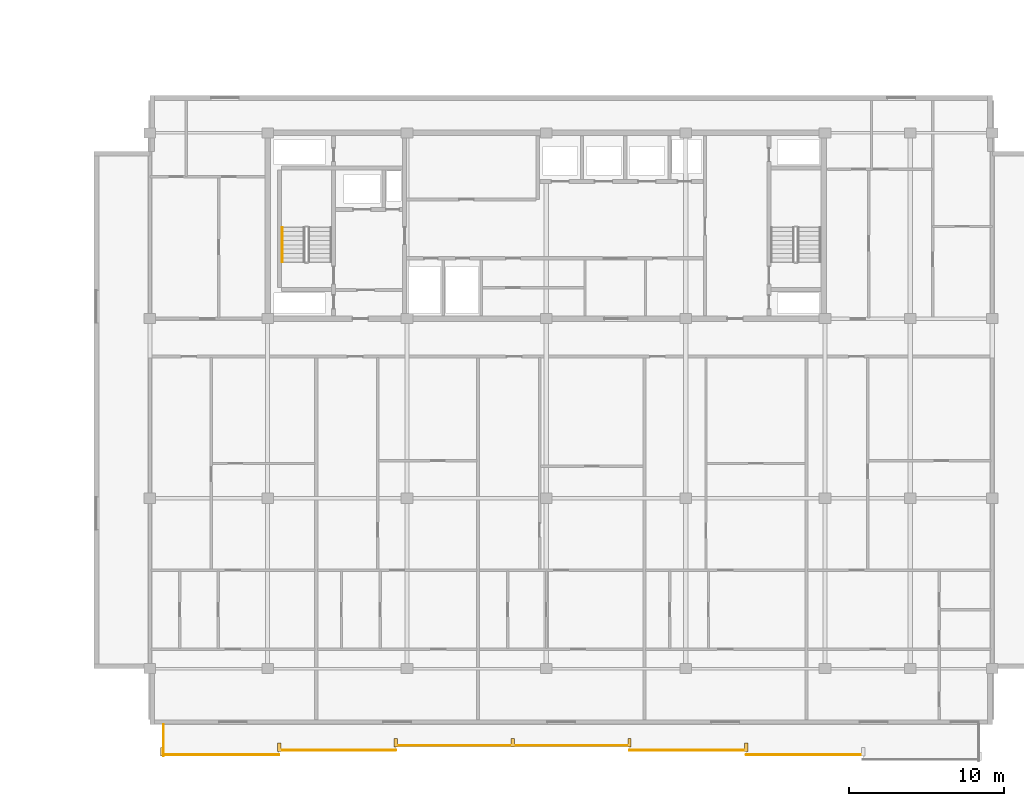
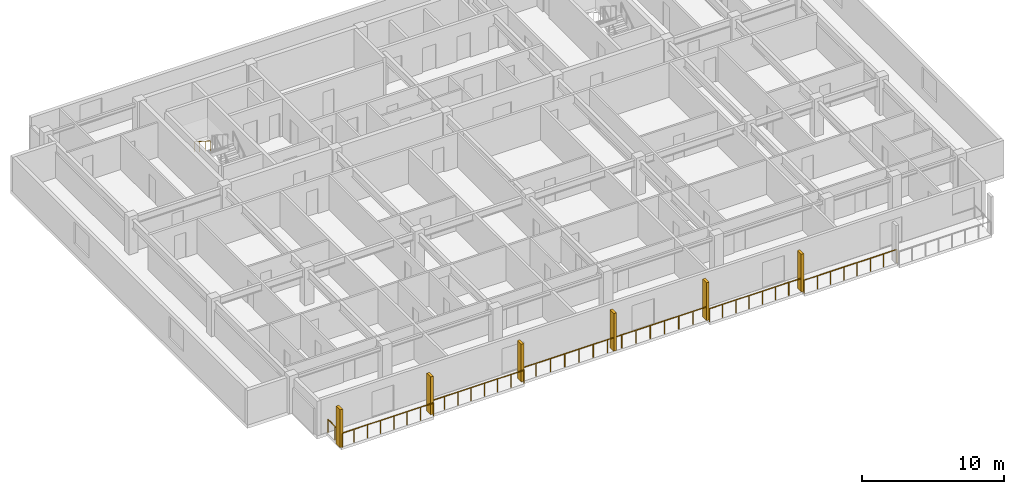
# One storey, part 17 of 21: 7 railings, 6 shading devices.
"""IFC4 building model written with IfcOpenShell, lengths in metres."""

from ifc_helpers import new_model, si_unit, direction, frame, origin, origin_2d, place, context, subcontext, project, spatial, rectangle, circle, extrude, material, type_object, element, save


model = new_model("IFC4")

# Units and contexts
model_context = context("Model", 3, precision=1e-05, world=origin(), true_north=direction((0.0, 1.0)))
body_context = subcontext(model_context, "Body", "Model", "MODEL_VIEW")
ifc_project = project(units=[si_unit("LENGTHUNIT", "METRE"), si_unit("AREAUNIT", "SQUARE_METRE"), si_unit("VOLUMEUNIT", "CUBIC_METRE"), si_unit("PLANEANGLEUNIT", "RADIAN"), si_unit("MASSUNIT", "GRAM", prefix="KILO")], contexts=[model_context])

# Site, building, storey
site_placement = place(None, origin())
site = spatial("IfcSite", under=ifc_project, at=site_placement, CompositionType="ELEMENT")
building_placement = place(site_placement, origin())
building = spatial("IfcBuilding", under=site, at=building_placement, Name="Korimba Cascade Residences", CompositionType="ELEMENT")
storey_placement = place(building_placement, frame((0.0, 0.0, 171.85009765625)))
storey = spatial("IfcBuildingStorey", under=building, at=storey_placement, Name="L49", CompositionType="ELEMENT", Elevation=171.85009765625)

# Railings
ifc_material_1 = material(Name="Laminated Glass and Bronze Balustrade", Category="glass")
railing_type_1 = type_object("IfcRailingType", Name="RLG-LOG-1150", PredefinedType="BALUSTRADE", material=ifc_material_1)
railing_1_placement = place(storey_placement, frame((75.300048828125, -9.77001953125, 0.0)))
element("IfcRailing", 1, at=railing_1_placement, inside=storey, type_object=railing_type_1, Name="L49 Perimeter Guardrail RLG-L49-T2-LOG-01", PredefinedType="BALUSTRADE", context=body_context, shape_type="SweptSolid", body=[
    extrude(circle(Radius=0.02392578125, at=origin_2d()), frame((0.0, 0.0, 1.1259765625), z_axis=(1.0, 0.0, 0.0), x_axis=(0.0, 1.0, 0.0)), (0.0, 0.0, 1.0), 7.54296875),
    extrude(circle(Radius=0.02099609375, at=origin_2d()), origin(), (0.0, 0.0, 1.0), 1.101806640625),
    extrude(circle(Radius=0.02099609375, at=origin_2d()), frame((1.07763671875, 0.0, 0.0)), (0.0, 0.0, 1.0), 1.101806640625),
    extrude(circle(Radius=0.02099609375, at=origin_2d()), frame((2.155029296875, 0.0, 0.0)), (0.0, 0.0, 1.0), 1.101806640625),
    extrude(circle(Radius=0.02099609375, at=origin_2d()), frame((3.232666015625, 0.0, 0.0)), (0.0, 0.0, 1.0), 1.101806640625),
    extrude(circle(Radius=0.02099609375, at=origin_2d()), frame((4.310302734375, 0.0, 0.0)), (0.0, 0.0, 1.0), 1.101806640625),
    extrude(circle(Radius=0.02099609375, at=origin_2d()), frame((5.387939453125, 0.0, 0.0)), (0.0, 0.0, 1.0), 1.101806640625),
    extrude(circle(Radius=0.02099609375, at=origin_2d()), frame((6.46533203125, 0.0, 0.0)), (0.0, 0.0, 1.0), 1.101806640625),
    extrude(circle(Radius=0.02099609375, at=origin_2d()), frame((7.54296875, 0.0, 0.0)), (0.0, 0.0, 1.0), 1.101806640625),
])
railing_2_placement = place(storey_placement, frame((82.843017578125, -9.469970703125, 0.0)))
element("IfcRailing", 2, at=railing_2_placement, inside=storey, type_object=railing_type_1, Name="L49 Perimeter Guardrail RLG-L49-T2-LOG-02", PredefinedType="BALUSTRADE", context=body_context, shape_type="SweptSolid", body=[
    extrude(circle(Radius=0.02392578125, at=origin_2d()), frame((0.0, 0.0, 1.1259765625), z_axis=(1.0, 0.0, 0.0), x_axis=(0.0, 1.0, 0.0)), (0.0, 0.0, 1.0), 7.542724609375),
    extrude(circle(Radius=0.02099609375, at=origin_2d()), origin(), (0.0, 0.0, 1.0), 1.101806640625),
    extrude(circle(Radius=0.02099609375, at=origin_2d()), frame((1.07763671875, 0.0, 0.0)), (0.0, 0.0, 1.0), 1.101806640625),
    extrude(circle(Radius=0.02099609375, at=origin_2d()), frame((2.155029296875, 0.0, 0.0)), (0.0, 0.0, 1.0), 1.101806640625),
    extrude(circle(Radius=0.02099609375, at=origin_2d()), frame((3.232666015625, 0.0, 0.0)), (0.0, 0.0, 1.0), 1.101806640625),
    extrude(circle(Radius=0.02099609375, at=origin_2d()), frame((4.31005859375, 0.0, 0.0)), (0.0, 0.0, 1.0), 1.101806640625),
    extrude(circle(Radius=0.02099609375, at=origin_2d()), frame((5.3876953125, 0.0, 0.0)), (0.0, 0.0, 1.0), 1.101806640625),
    extrude(circle(Radius=0.02099609375, at=origin_2d()), frame((6.465087890625, 0.0, 0.0)), (0.0, 0.0, 1.0), 1.101806640625),
    extrude(circle(Radius=0.02099609375, at=origin_2d()), frame((7.542724609375, 0.0, 0.0)), (0.0, 0.0, 1.0), 1.101806640625),
])
railing_3_placement = place(storey_placement, frame((90.3857421875, -9.169921875, 0.0)))
element("IfcRailing", 3, at=railing_3_placement, inside=storey, type_object=railing_type_1, Name="L49 Perimeter Guardrail RLG-L49-T2-LOG-03", PredefinedType="BALUSTRADE", context=body_context, shape_type="SweptSolid", body=[
    extrude(circle(Radius=0.02392578125, at=origin_2d()), frame((0.0, 0.0, 1.1259765625), z_axis=(1.0, 0.0, 0.0), x_axis=(0.0, 1.0, 0.0)), (0.0, 0.0, 1.0), 15.085693359375),
    extrude(circle(Radius=0.02099609375, at=origin_2d()), origin(), (0.0, 0.0, 1.0), 1.101806640625),
    extrude(circle(Radius=0.02099609375, at=origin_2d()), frame((1.160400390625, 0.0, 0.0)), (0.0, 0.0, 1.0), 1.101806640625),
    extrude(circle(Radius=0.02099609375, at=origin_2d()), frame((2.32080078125, 0.0, 0.0)), (0.0, 0.0, 1.0), 1.101806640625),
    extrude(circle(Radius=0.02099609375, at=origin_2d()), frame((3.481201171875, 0.0, 0.0)), (0.0, 0.0, 1.0), 1.101806640625),
    extrude(circle(Radius=0.02099609375, at=origin_2d()), frame((4.641845703125, 0.0, 0.0)), (0.0, 0.0, 1.0), 1.101806640625),
    extrude(circle(Radius=0.02099609375, at=origin_2d()), frame((5.80224609375, 0.0, 0.0)), (0.0, 0.0, 1.0), 1.101806640625),
    extrude(circle(Radius=0.02099609375, at=origin_2d()), frame((6.962646484375, 0.0, 0.0)), (0.0, 0.0, 1.0), 1.101806640625),
    extrude(circle(Radius=0.02099609375, at=origin_2d()), frame((8.123046875, 0.0, 0.0)), (0.0, 0.0, 1.0), 1.101806640625),
    extrude(circle(Radius=0.02099609375, at=origin_2d()), frame((9.283447265625, 0.0, 0.0)), (0.0, 0.0, 1.0), 1.101806640625),
    extrude(circle(Radius=0.02099609375, at=origin_2d()), frame((10.44384765625, 0.0, 0.0)), (0.0, 0.0, 1.0), 1.101806640625),
    extrude(circle(Radius=0.02099609375, at=origin_2d()), frame((11.6044921875, 0.0, 0.0)), (0.0, 0.0, 1.0), 1.101806640625),
    extrude(circle(Radius=0.02099609375, at=origin_2d()), frame((12.764892578125, 0.0, 0.0)), (0.0, 0.0, 1.0), 1.101806640625),
    extrude(circle(Radius=0.02099609375, at=origin_2d()), frame((13.92529296875, 0.0, 0.0)), (0.0, 0.0, 1.0), 1.101806640625),
    extrude(circle(Radius=0.02099609375, at=origin_2d()), frame((15.085693359375, 0.0, 0.0)), (0.0, 0.0, 1.0), 1.101806640625),
])
railing_4_placement = place(storey_placement, frame((105.471435546875, -9.469970703125, 0.0)))
element("IfcRailing", 4, at=railing_4_placement, inside=storey, type_object=railing_type_1, Name="L49 Perimeter Guardrail RLG-L49-T2-LOG-04", PredefinedType="BALUSTRADE", context=body_context, shape_type="SweptSolid", body=[
    extrude(circle(Radius=0.02392578125, at=origin_2d()), frame((0.0, 0.0, 1.1259765625), z_axis=(1.0, 0.0, 0.0), x_axis=(0.0, 1.0, 0.0)), (0.0, 0.0, 1.0), 7.54296875),
    extrude(circle(Radius=0.02099609375, at=origin_2d()), origin(), (0.0, 0.0, 1.0), 1.101806640625),
    extrude(circle(Radius=0.02099609375, at=origin_2d()), frame((1.07763671875, 0.0, 0.0)), (0.0, 0.0, 1.0), 1.101806640625),
    extrude(circle(Radius=0.02099609375, at=origin_2d()), frame((2.155029296875, 0.0, 0.0)), (0.0, 0.0, 1.0), 1.101806640625),
    extrude(circle(Radius=0.02099609375, at=origin_2d()), frame((3.232666015625, 0.0, 0.0)), (0.0, 0.0, 1.0), 1.101806640625),
    extrude(circle(Radius=0.02099609375, at=origin_2d()), frame((4.310302734375, 0.0, 0.0)), (0.0, 0.0, 1.0), 1.101806640625),
    extrude(circle(Radius=0.02099609375, at=origin_2d()), frame((5.387939453125, 0.0, 0.0)), (0.0, 0.0, 1.0), 1.101806640625),
    extrude(circle(Radius=0.02099609375, at=origin_2d()), frame((6.46533203125, 0.0, 0.0)), (0.0, 0.0, 1.0), 1.101806640625),
    extrude(circle(Radius=0.02099609375, at=origin_2d()), frame((7.54296875, 0.0, 0.0)), (0.0, 0.0, 1.0), 1.101806640625),
])
railing_5_placement = place(storey_placement, frame((113.014404296875, -9.77001953125, 0.0)))
element("IfcRailing", 5, at=railing_5_placement, inside=storey, type_object=railing_type_1, Name="L49 Perimeter Guardrail RLG-L49-T2-LOG-05", PredefinedType="BALUSTRADE", context=body_context, shape_type="SweptSolid", body=[
    extrude(circle(Radius=0.02392578125, at=origin_2d()), frame((0.0, 0.0, 1.1259765625), z_axis=(1.0, 0.0, 0.0), x_axis=(0.0, 1.0, 0.0)), (0.0, 0.0, 1.0), 7.542724609375),
    extrude(circle(Radius=0.02099609375, at=origin_2d()), origin(), (0.0, 0.0, 1.0), 1.101806640625),
    extrude(circle(Radius=0.02099609375, at=origin_2d()), frame((1.07763671875, 0.0, 0.0)), (0.0, 0.0, 1.0), 1.101806640625),
    extrude(circle(Radius=0.02099609375, at=origin_2d()), frame((2.155029296875, 0.0, 0.0)), (0.0, 0.0, 1.0), 1.101806640625),
    extrude(circle(Radius=0.02099609375, at=origin_2d()), frame((3.232666015625, 0.0, 0.0)), (0.0, 0.0, 1.0), 1.101806640625),
    extrude(circle(Radius=0.02099609375, at=origin_2d()), frame((4.31005859375, 0.0, 0.0)), (0.0, 0.0, 1.0), 1.101806640625),
    extrude(circle(Radius=0.02099609375, at=origin_2d()), frame((5.3876953125, 0.0, 0.0)), (0.0, 0.0, 1.0), 1.101806640625),
    extrude(circle(Radius=0.02099609375, at=origin_2d()), frame((6.465087890625, 0.0, 0.0)), (0.0, 0.0, 1.0), 1.101806640625),
    extrude(circle(Radius=0.02099609375, at=origin_2d()), frame((7.542724609375, 0.0, 0.0)), (0.0, 0.0, 1.0), 1.101806640625),
])
railing_6_placement = place(storey_placement, frame((75.3798828125, -7.800048828125, 0.0)))
element("IfcRailing", 6, at=railing_6_placement, inside=storey, type_object=railing_type_1, Name="L49 Perimeter Guardrail RLG-L49-T2-LOG-08", PredefinedType="BALUSTRADE", context=body_context, shape_type="SweptSolid", body=[
    extrude(circle(Radius=0.02392578125, at=origin_2d()), frame((0.0, 0.0, 1.1259765625), z_axis=(0.0, -1.0, 0.0), x_axis=(1.0, 0.0, 0.0)), (0.0, 0.0, 1.0), 2.050048828125),
    extrude(circle(Radius=0.02099609375, at=origin_2d()), origin(), (0.0, 0.0, 1.0), 1.101806640625),
    extrude(circle(Radius=0.02099609375, at=origin_2d()), frame((0.0, -1.02490234375, 0.0)), (0.0, 0.0, 1.0), 1.101806640625),
    extrude(circle(Radius=0.02099609375, at=origin_2d()), frame((0.0, -2.050048828125, 0.0)), (0.0, 0.0, 1.0), 1.101806640625),
])
ifc_material_2 = material(Name="Brushed Stainless Steel Handrail", Category="steel")
railing_type_2 = type_object("IfcRailingType", Name="RLG-ST-HR900", PredefinedType="HANDRAIL", material=ifc_material_2)
railing_7_placement = place(storey_placement, frame((83.050048828125, 24.2900390625, 1.98974609375)))
element("IfcRailing", 7, at=railing_7_placement, inside=storey, type_object=railing_type_2, Name="L49 ST-E1 stair handrail 2", PredefinedType="HANDRAIL", context=body_context, shape_type="SweptSolid", body=[
    extrude(circle(Radius=0.02392578125, at=origin_2d()), frame((0.0, 0.0, 0.8759765625), z_axis=(0.0, -0.840394893359, 0.541974559565), x_axis=(1.0, 0.0, 0.0)), (0.0, 0.0, 1.0), 2.665283203125),
    extrude(circle(Radius=0.02099609375, at=origin_2d()), origin(), (0.0, 0.0, 1.0), 0.851806640625),
    extrude(circle(Radius=0.02099609375, at=origin_2d()), frame((0.0, -0.74658203125, 0.4814453125)), (0.0, 0.0, 1.0), 0.851806640625),
    extrude(circle(Radius=0.02099609375, at=origin_2d()), frame((0.0, -1.493408203125, 0.963134765625)), (0.0, 0.0, 1.0), 0.851806640625),
    extrude(circle(Radius=0.02099609375, at=origin_2d()), frame((0.0, -2.239990234375, 1.444580078125)), (0.0, 0.0, 1.0), 0.851806640625),
])

# Shading devices
ifc_material_3 = material(Name="Honed Sandstone Precast Fin", Category="masonry")
shading_device_type = type_object("IfcShadingDeviceType", Name="SHD-FIN-550", PredefinedType="USERDEFINED", material=ifc_material_3)
for number, where, z_axis, x_axis, name in (
    (8, (75.300048828125, -9.574951171875, 0.0), (0.0, 0.0, 1.0), (1.0, 0.0, 0.0), "L49 T2 Warm-Stone Loggia Fin 1"),
    (9, (82.843017578125, -9.27490234375, 0.0), (0.0, 0.0, 1.0), (1.0, 0.0, 0.0), "L49 T2 Warm-Stone Loggia Fin 2"),
    (10, (90.3857421875, -8.97509765625, 0.0), (0.0, 0.0, 1.0), (1.0, 0.0, 0.0), "L49 T2 Warm-Stone Loggia Fin 3"),
    (11, (97.9287109375, -8.97509765625, 0.0), (0.0, 0.0, 1.0), (1.0, 0.0, 0.0), "L49 T2 Warm-Stone Loggia Fin 4"),
    (12, (105.471435546875, -8.97509765625, 0.0), (0.0, 0.0, 1.0), (1.0, 0.0, 0.0), "L49 T2 Warm-Stone Loggia Fin 5"),
    (13, (113.014404296875, -9.27490234375, 0.0), (0.0, 0.0, 1.0), (1.0, 0.0, 0.0), "L49 T2 Warm-Stone Loggia Fin 6"),
):
    element("IfcShadingDevice", number, at=place(storey_placement, frame(where, z_axis=z_axis, x_axis=x_axis)), inside=storey, type_object=shading_device_type, Name=name, ObjectType="FIN", PredefinedType="USERDEFINED", context=body_context, shape_type="SweptSolid", body=[
        extrude(rectangle(XDim=0.219970703125, YDim=0.550048828125, at=origin_2d()), origin(), (0.0, 0.0, 1.0), 3.25),
    ])

save(model, "model.ifc")
